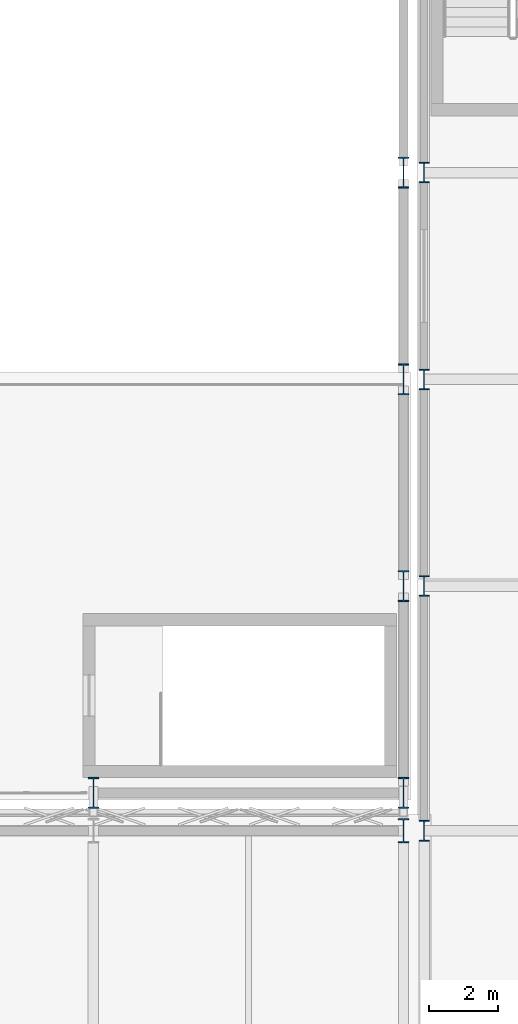
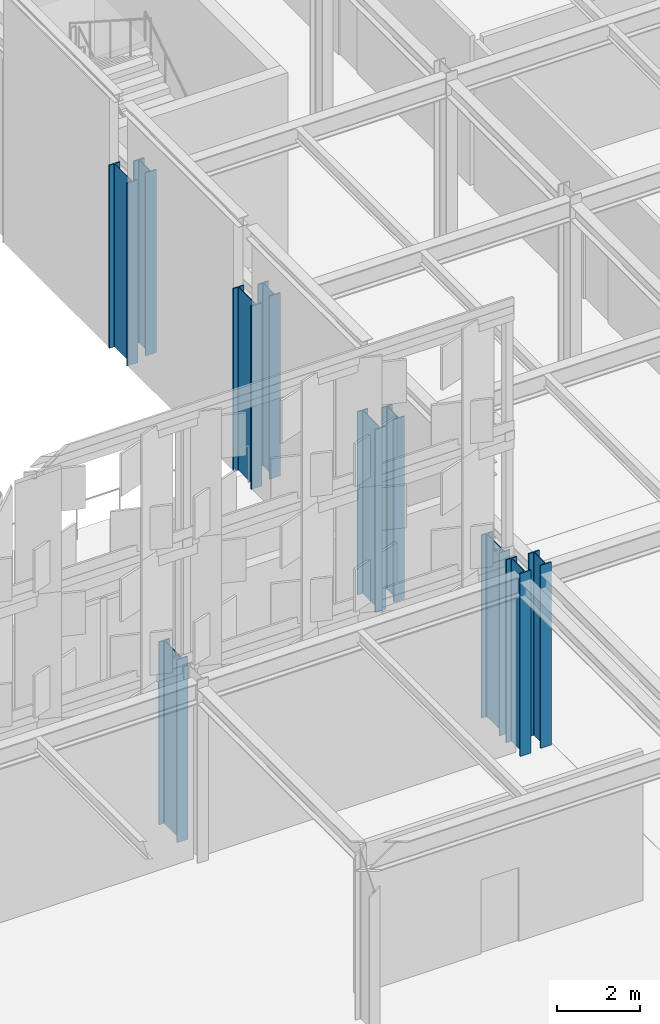
# One storey, part 7 of 210: 10 columns.
"""IFC4 building model written with IfcOpenShell, lengths in metres."""

from ifc_helpers import new_model, si_unit, direction, frame, origin, origin_2d, place, context, subcontext, project, spatial, i_section, extrude, material, material_profile, profile_set, type_object, element, save


model = new_model("IFC4")

# Units and contexts
model_context = context("Model", 3, precision=1e-05, world=origin(), true_north=direction((0.0, 1.0)))
body_context = subcontext(model_context, "Body", "Model", "MODEL_VIEW")
ifc_project = project(units=[si_unit("LENGTHUNIT", "METRE"), si_unit("AREAUNIT", "SQUARE_METRE"), si_unit("VOLUMEUNIT", "CUBIC_METRE"), si_unit("PLANEANGLEUNIT", "RADIAN"), si_unit("MASSUNIT", "GRAM", prefix="KILO")], contexts=[model_context])

# Site, building, storey
site_placement = place(None, origin())
site = spatial("IfcSite", under=ifc_project, at=site_placement, CompositionType="ELEMENT")
building_placement = place(site_placement, origin())
building = spatial("IfcBuilding", under=site, at=building_placement, Name="Kaldris Quays Convention Centre", CompositionType="ELEMENT")
storey_placement = place(building_placement, frame((0.0, 0.0, 6.0)))
storey = spatial("IfcBuildingStorey", under=building, at=storey_placement, Name="L01", CompositionType="ELEMENT", Elevation=6.0)

# Columns
ifc_material = material(Name="Steel S355J2", Category="steel")
ifc_material_profile_1 = material_profile(ifc_material, i_section(OverallWidth=0.300048828125, OverallDepth=0.89990234375, WebThickness=0.0185546875, FlangeThickness=0.034912109375, FilletRadius=0.030029296875, at=origin_2d()), Name="HEB 900")
ifc_profile_set_1 = profile_set([ifc_material_profile_1], Name="Steel S355J2")
column_type_1 = type_object("IfcColumnType", Name="STRUCTURAL COLUMN CL03", PredefinedType="COLUMN", material=ifc_profile_set_1)
for number, where, z_axis, x_axis, name in (
    (1, (137.0, 56.0, 0.0), (0.0, 0.0, 1.0), (1.0, 0.0, 0.0), "L01 V1 Column CL03 (137.00, 56.00)"),
    (2, (146.0, 56.0, 0.0), (0.0, 0.0, 1.0), (1.0, 0.0, 0.0), "L01 V1 Column CL03 (146.00, 56.00)"),
    (3, (146.0, 62.0, 0.0), (0.0, 0.0, 1.0), (1.0, 0.0, 0.0), "L01 V1 Column CL03 (146.00, 62.00)"),
    (4, (146.0, 68.0, 0.0), (0.0, 0.0, 1.0), (1.0, 0.0, 0.0), "L01 V1 Column CL03 (146.00, 68.00)"),
    (5, (146.0, 74.0, 0.0), (0.0, 0.0, 1.0), (1.0, 0.0, 0.0), "L01 V1 Column CL03 (146.00, 74.00)"),
):
    element("IfcColumn", number, at=place(storey_placement, frame(where, z_axis=z_axis, x_axis=x_axis)), inside=storey, type_object=column_type_1, Name=name, PredefinedType="COLUMN", context=body_context, shape_type="SweptSolid", body=[
        extrude(i_section(OverallWidth=0.300048828125, OverallDepth=0.89990234375, WebThickness=0.0185546875, FlangeThickness=0.034912109375, FilletRadius=0.030029296875, at=origin_2d()), origin(), (0.0, 0.0, 1.0), 5.39990234375),
    ])
ifc_material_profile_2 = material_profile(ifc_material, i_section(OverallWidth=0.300048828125, OverallDepth=0.699951171875, WebThickness=0.01708984375, FlangeThickness=0.031982421875, FilletRadius=0.027099609375, at=origin_2d()), Name="HEB 700")
ifc_profile_set_2 = profile_set([ifc_material_profile_2], Name="Steel S355J2")
column_type_2 = type_object("IfcColumnType", Name="STRUCTURAL COLUMN CL05", PredefinedType="COLUMN", material=ifc_profile_set_2)
column_placement = place(storey_placement, frame((146.0, 54.89990234375, 0.0), z_axis=(0.0, 0.0, 1.0), x_axis=(1.0, 0.0, 0.0)))
element("IfcColumn", 6, at=column_placement, inside=storey, type_object=column_type_2, Name="L01 V4 Column CL05 (146.00, 54.90)", PredefinedType="COLUMN", context=body_context, shape_type="SweptSolid", body=[
    extrude(i_section(OverallWidth=0.300048828125, OverallDepth=0.699951171875, WebThickness=0.01708984375, FlangeThickness=0.031982421875, FilletRadius=0.027099609375, at=origin_2d()), origin(), (0.0, 0.0, 1.0), 5.39990234375),
])
ifc_material_profile_3 = material_profile(ifc_material, i_section(OverallWidth=0.300048828125, OverallDepth=0.60009765625, WebThickness=0.015380859375, FlangeThickness=0.030029296875, FilletRadius=0.027099609375, at=origin_2d()), Name="HEB 600")
ifc_profile_set_3 = profile_set([ifc_material_profile_3], Name="Steel S355J2")
column_type_3 = type_object("IfcColumnType", Name="STRUCTURAL COLUMN CL06", PredefinedType="COLUMN", material=ifc_profile_set_3)
for number, where, z_axis, x_axis, name in (
    (7, (146.60009765625, 54.89990234375, 0.0), (0.0, 0.0, 1.0), (1.0, 0.0, 0.0), "L01 V4 Column CL06 (146.60, 54.90)"),
    (8, (146.60009765625, 62.0, 0.0), (0.0, 0.0, 1.0), (1.0, 0.0, 0.0), "L01 V4 Column CL06 (146.60, 62.00)"),
    (9, (146.60009765625, 68.0, 0.0), (0.0, 0.0, 1.0), (1.0, 0.0, 0.0), "L01 V4 Column CL06 (146.60, 68.00)"),
    (10, (146.60009765625, 74.0, 0.0), (0.0, 0.0, 1.0), (1.0, 0.0, 0.0), "L01 V4 Column CL06 (146.60, 74.00)"),
):
    element("IfcColumn", number, at=place(storey_placement, frame(where, z_axis=z_axis, x_axis=x_axis)), inside=storey, type_object=column_type_3, Name=name, PredefinedType="COLUMN", context=body_context, shape_type="SweptSolid", body=[
        extrude(i_section(OverallWidth=0.300048828125, OverallDepth=0.60009765625, WebThickness=0.015380859375, FlangeThickness=0.030029296875, FilletRadius=0.027099609375, at=origin_2d()), origin(), (0.0, 0.0, 1.0), 5.39990234375),
    ])

save(model, "model.ifc")
